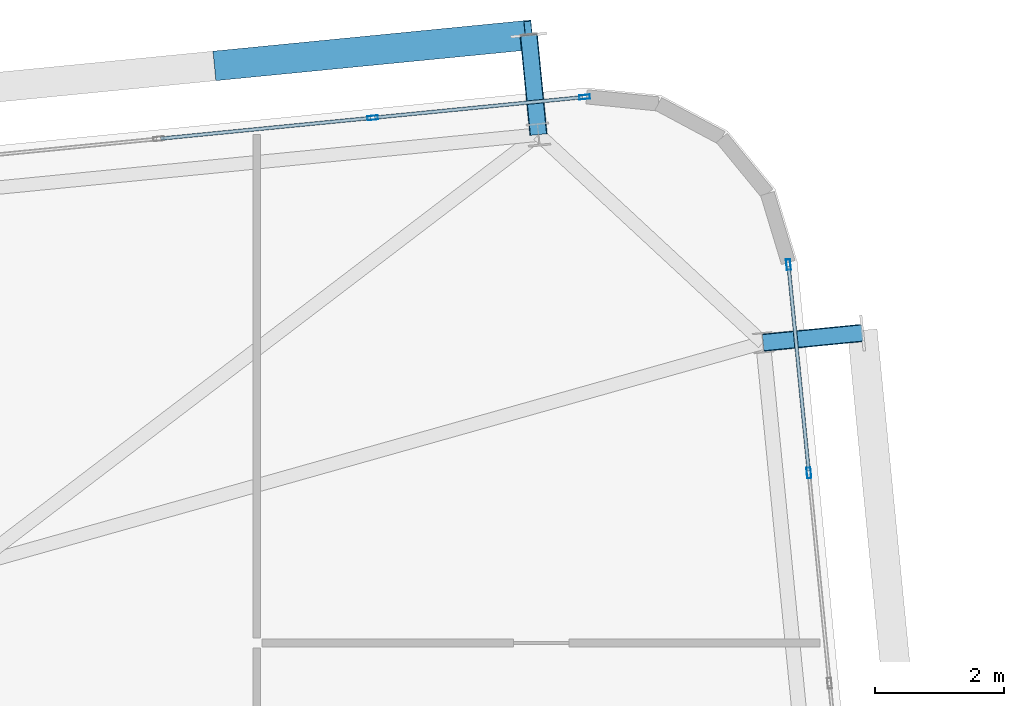
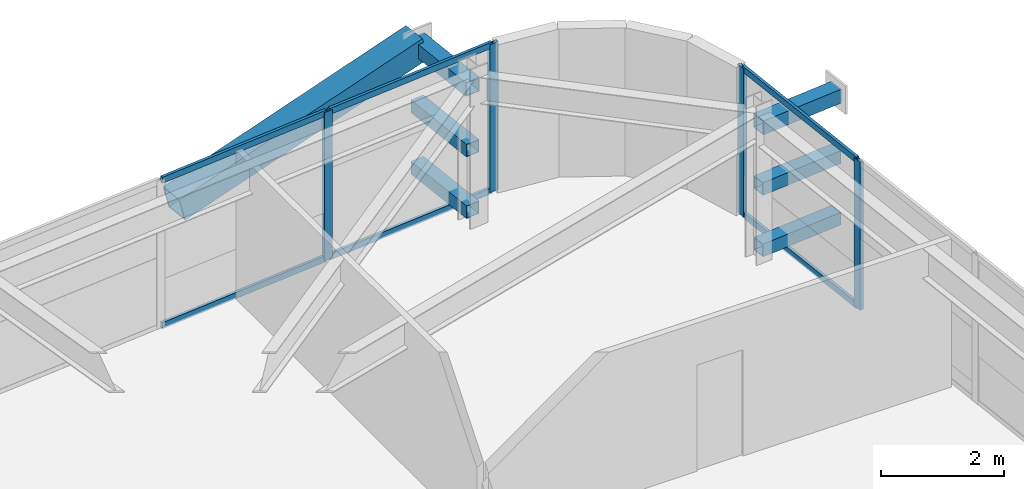
# One storey, part 35 of 52: 17 members, 2 elements without a shape of their own.
"""IFC4 building model written with IfcOpenShell, lengths in metres."""

from ifc_helpers import new_model, si_unit, direction, frame, origin, origin_2d, place, context, subcontext, project, spatial, hollow_rectangle, extrude, source, transform, mapped, material, layer, layer_set, material_profile, profile_set, type_object, element, aggregate, save


model = new_model("IFC4")

# Units and contexts
model_context = context("Model", 3, precision=1e-05, world=origin(), true_north=direction((0.0, 1.0)))
body_context = subcontext(model_context, "Body", "Model", "MODEL_VIEW")
ifc_project = project(units=[si_unit("LENGTHUNIT", "METRE"), si_unit("AREAUNIT", "SQUARE_METRE"), si_unit("VOLUMEUNIT", "CUBIC_METRE"), si_unit("PLANEANGLEUNIT", "RADIAN"), si_unit("MASSUNIT", "GRAM", prefix="KILO")], contexts=[model_context])

# Site, building, storey
site_placement = place(None, origin())
site = spatial("IfcSite", under=ifc_project, at=site_placement, CompositionType="ELEMENT")
building_placement = place(site_placement, origin())
building = spatial("IfcBuilding", under=site, at=building_placement, Name="Taldren Reach Tower", CompositionType="ELEMENT")
storey_placement = place(building_placement, frame((0.0, 0.0, 74.550048828125)))
storey = spatial("IfcBuildingStorey", under=building, at=storey_placement, Name="L22", CompositionType="ELEMENT", Elevation=74.550048828125)

# Members
ifc_material_1 = material(Name="Steel Gr 450 (C450L0)", Category="steel")
ifc_material_profile_1 = material_profile(ifc_material_1, hollow_rectangle(XDim=0.27490234375, YDim=0.27490234375, WallThickness=0.00927734375, at=origin_2d()), Name="275x275x9.3SHS")
ifc_profile_set_1 = profile_set([ifc_material_profile_1], Name="Steel Gr 450 (C450L0)")
member_type_1 = type_object("IfcMemberType", Name="MB-TIE273", PredefinedType="STRUT", material=ifc_profile_set_1)
shared_shape_1 = source(origin(), body_context, "Body", "SweptSolid", [
    extrude(hollow_rectangle(XDim=0.27490234375, YDim=0.27490234375, WallThickness=0.00927734375, at=origin_2d()), origin(), (0.0, 0.0, 1.0), 1.5498046875),
])
for number, where, z_axis, x_axis, name in (
    (1, (59.765869140625, 38.679931640625, 2.64990234375), (-0.097663201064, 0.995219523099, 0.0), (-0.995219523099, -0.097663201064, 0.0), "Exoskeleton diaphragm tie strut B2-N6 L22"),
    (2, (63.247314453125, 35.454345703125, 2.64990234375), (0.995234821595, 0.097507178627, 0.0), (-0.097507178627, 0.995234821595, 0.0), "Exoskeleton diaphragm tie strut B2-E3 L22"),
):
    element("IfcMember", number, at=place(storey_placement, frame(where, z_axis=z_axis, x_axis=x_axis)), inside=storey, type_object=member_type_1, Name=name, PredefinedType="STRUT", context=body_context, shape_type="MappedRepresentation", body=[
        mapped(shared_shape_1, transform((0.0, 0.0, 0.0), scale=1.0)),
    ])
ifc_material_2 = material(Name="Steel Gr 350 (C350L0)", Category="steel")
ifc_material_profile_2 = material_profile(ifc_material_2, hollow_rectangle(XDim=0.25, YDim=0.25, WallThickness=0.010009765625, at=origin_2d()), Name="250x250x10.0SHS")
ifc_profile_set_2 = profile_set([ifc_material_profile_2], Name="Steel Gr 350 (C350L0)")
member_type_2 = type_object("IfcMemberType", Name="MB-POST250", PredefinedType="POST", material=ifc_profile_set_2)
shared_shape_2 = source(origin(), body_context, "Body", "SweptSolid", [
    extrude(hollow_rectangle(XDim=0.25, YDim=0.25, WallThickness=0.010009765625, at=origin_2d()), origin(), (0.0, 0.0, 1.0), 1.5498046875),
])
for number, where, z_axis, x_axis, name in (
    (3, (59.765869140625, 38.679931640625, 0.219970703125), (-0.097663201064, 0.995219523099, 0.0), (-0.995219523099, -0.097663201064, 0.0), "Exoskeleton base diaphragm tie strut B2-N6 L22"),
    (4, (63.247314453125, 35.454345703125, 0.219970703125), (0.995234821595, 0.097507178627, 0.0), (-0.097507178627, 0.995234821595, 0.0), "Exoskeleton base diaphragm tie strut B2-E3 L22"),
    (5, (59.765869140625, 38.679931640625, 1.43505859375), (-0.097663201064, 0.995219523099, 0.0), (-0.995219523099, -0.097663201064, 0.0), "Exoskeleton mid-tier diaphragm tie B2-N6 L22"),
    (6, (63.247314453125, 35.454345703125, 1.43505859375), (0.995234821595, 0.097507178627, 0.0), (-0.097507178627, 0.995234821595, 0.0), "Exoskeleton mid-tier diaphragm tie B2-E3 L22"),
):
    element("IfcMember", number, at=place(storey_placement, frame(where, z_axis=z_axis, x_axis=x_axis)), inside=storey, type_object=member_type_2, Name=name, PredefinedType="POST", context=body_context, shape_type="MappedRepresentation", body=[
        mapped(shared_shape_2, transform((0.0, 0.0, 0.0), scale=1.0)),
    ])
ifc_material_profile_3 = material_profile(ifc_material_1, hollow_rectangle(XDim=0.4599609375, YDim=0.4599609375, WallThickness=0.01611328125, at=origin_2d()), Name="460x460x16.0SHS")
ifc_profile_set_3 = profile_set([ifc_material_profile_3], Name="Steel Gr 450 (C450L0)")
member_type_3 = type_object("IfcMemberType", Name="MB-EXO457", PredefinedType="BRACE", material=ifc_profile_set_3)
shared_shape_3 = source(origin(), body_context, "Body", "SweptSolid", [
    extrude(hollow_rectangle(XDim=0.4599609375, YDim=0.4599609375, WallThickness=0.01611328125, at=origin_2d()), origin(), (0.0, 0.0, 1.0), 4.990234375),
])
member_1_placement = place(storey_placement, frame((54.797607421875, 39.750244140625, 1.43505859375), z_axis=(0.965287024526, 0.094620633828, 0.24344998652), x_axis=(-0.097555749586, 0.995230061706, 0.0)))
element("IfcMember", 7, at=member_1_placement, inside=storey, type_object=member_type_3, Name="Exoskeleton Diagrid Brace B2-N5 L22", PredefinedType="BRACE", context=body_context, shape_type="MappedRepresentation", body=[
    mapped(shared_shape_3, transform((0.0, 0.0, 0.0), scale=1.0)),
])

# Curtain wall, members
ifc_material_3 = material(Name="Aluminium and Low-E Glass Unitised System", Category="aluminium")
ifc_layer = layer(ifc_material_3, 0.159912109375)
ifc_layer_set = layer_set([ifc_layer], Name="Aluminium and Low-E Glass Unitised System")
curtain_wall_type = type_object("IfcCurtainWallType", Name="CW-SYS-3", PredefinedType="NOTDEFINED", material=ifc_layer_set)
curtain_wall_1_placement = place(storey_placement, origin())
curtain_wall_1 = element("IfcCurtainWall", 8, at=curtain_wall_1_placement, inside=storey, type_object=curtain_wall_type, Name="Unitised curtain wall CW-L22-N", PredefinedType="NOTDEFINED")
ifc_material_4 = material(Name="Anodised Aluminium 6063-T6", Category="aluminium")
ifc_material_profile_4 = material_profile(ifc_material_4, hollow_rectangle(XDim=0.06494140625, YDim=0.1650390625, WallThickness=0.00390625, at=origin_2d()), Name="ALU-165x65x4RHS")
ifc_profile_set_4 = profile_set([ifc_material_profile_4], Name="Anodised Aluminium 6063-T6")
member_type_4 = type_object("IfcMemberType", Name="CW-MUL-165", PredefinedType="MULLION", material=ifc_profile_set_4)
shared_shape_4 = source(origin(), body_context, "Body", "SweptSolid", [
    extrude(hollow_rectangle(XDim=0.06494140625, YDim=0.1650390625, WallThickness=0.00390625, at=origin_2d()), origin(), (0.0, 0.0, 1.0), 2.929931640625),
])
member_2_placement = place(storey_placement, frame((60.47998046875, 39.262451171875, 0.0), z_axis=(0.0, 0.0, 1.0), x_axis=(0.097582999046, -0.995227390247, 0.0)))
member_2 = element("IfcMember", 9, at=member_2_placement, type_object=member_type_4, Name="CW-3 mullion 1", PredefinedType="MULLION", context=body_context, shape_type="MappedRepresentation", body=[
    mapped(shared_shape_4, transform((0.0, 0.0, 0.0), scale=1.0)),
])
member_3_placement = place(storey_placement, frame((57.19482421875, 38.940185546875, 0.0), z_axis=(0.0, 0.0, 1.0), x_axis=(0.097582999046, -0.995227390247, 0.0)))
member_3 = element("IfcMember", 10, at=member_3_placement, type_object=member_type_4, Name="CW-3 mullion 2", PredefinedType="MULLION", context=body_context, shape_type="MappedRepresentation", body=[
    mapped(shared_shape_4, transform((0.0, 0.0, 0.0), scale=1.0)),
])

curtain_wall_2_placement = place(storey_placement, origin())
curtain_wall_2 = element("IfcCurtainWall", 11, at=curtain_wall_2_placement, inside=storey, type_object=curtain_wall_type, Name="Unitised curtain wall CW-L22-E", PredefinedType="NOTDEFINED")
member_4_placement = place(storey_placement, frame((63.95751953125, 33.43603515625, 0.0), z_axis=(0.0, 0.0, 1.0), x_axis=(-0.99522741555, -0.09758274098, 0.0)))
member_4 = element("IfcMember", 12, at=member_4_placement, type_object=member_type_4, Name="CW-3 mullion 9", PredefinedType="MULLION", context=body_context, shape_type="MappedRepresentation", body=[
    mapped(shared_shape_4, transform((0.0, 0.0, 0.0), scale=1.0)),
])
member_5_placement = place(storey_placement, frame((63.640869140625, 36.666015625, 0.0), z_axis=(0.0, 0.0, 1.0), x_axis=(-0.99522741555, -0.09758274098, 0.0)))
member_5 = element("IfcMember", 13, at=member_5_placement, type_object=member_type_4, Name="CW-3 mullion 10", PredefinedType="MULLION", context=body_context, shape_type="MappedRepresentation", body=[
    mapped(shared_shape_4, transform((0.0, 0.0, 0.0), scale=1.0)),
])

# Member
ifc_material_profile_5 = material_profile(ifc_material_4, hollow_rectangle(XDim=0.054931640625, YDim=0.1201171875, WallThickness=0.0029296875, at=origin_2d()), Name="ALU-120x55x3RHS")
ifc_profile_set_5 = profile_set([ifc_material_profile_5], Name="Anodised Aluminium 6063-T6")
member_type_5 = type_object("IfcMemberType", Name="CW-TRN-135", PredefinedType="USERDEFINED", material=ifc_profile_set_5)
shared_shape_5 = source(origin(), body_context, "Body", "SweptSolid", [
    extrude(hollow_rectangle(XDim=0.054931640625, YDim=0.1201171875, WallThickness=0.0029296875, at=origin_2d()), origin(), (0.0, 0.0, 1.0), 3.23583984375),
])
member_6_placement = place(storey_placement, frame((60.447509765625, 39.25927734375, 0.02734375), z_axis=(-0.995222920971, -0.097628569459, 0.0), x_axis=(0.097628569459, -0.995222920971, 0.0)))
member_6 = element("IfcMember", 14, at=member_6_placement, type_object=member_type_5, Name="CW-3 transom 1.1", ObjectType="TRANSOM", PredefinedType="USERDEFINED", context=body_context, shape_type="MappedRepresentation", body=[
    mapped(shared_shape_5, transform((0.0, 0.0, 0.0), scale=1.0)),
])

member_7_placement = place(storey_placement, frame((60.447509765625, 39.25927734375, 2.90234375), z_axis=(-0.995222920971, -0.097628569459, 0.0), x_axis=(0.097628569459, -0.995222920971, 0.0)))
member_7 = element("IfcMember", 15, at=member_7_placement, type_object=member_type_5, Name="CW-3 transom 1.2", ObjectType="TRANSOM", PredefinedType="USERDEFINED", context=body_context, shape_type="MappedRepresentation", body=[
    mapped(shared_shape_5, transform((0.0, 0.0, 0.0), scale=1.0)),
])

shared_shape_6 = source(origin(), body_context, "Body", "SweptSolid", [
    extrude(hollow_rectangle(XDim=0.054931640625, YDim=0.1201171875, WallThickness=0.0029296875, at=origin_2d()), origin(), (0.0, 0.0, 1.0), 3.2685546875),
])
member_8_placement = place(storey_placement, frame((57.16259765625, 38.93701171875, 0.02734375), z_axis=(-0.99523051601, -0.097551114824, 0.0), x_axis=(0.097551114824, -0.99523051601, 0.0)))
member_8 = element("IfcMember", 16, at=member_8_placement, type_object=member_type_5, Name="CW-3 transom 2.1", ObjectType="TRANSOM", PredefinedType="USERDEFINED", context=body_context, shape_type="MappedRepresentation", body=[
    mapped(shared_shape_6, transform((0.0, 0.0, 0.0), scale=1.0)),
])

member_9_placement = place(storey_placement, frame((57.16259765625, 38.93701171875, 2.90234375), z_axis=(-0.99523051601, -0.097551114824, 0.0), x_axis=(0.097551114824, -0.99523051601, 0.0)))
member_9 = element("IfcMember", 17, at=member_9_placement, type_object=member_type_5, Name="CW-3 transom 2.2", ObjectType="TRANSOM", PredefinedType="USERDEFINED", context=body_context, shape_type="MappedRepresentation", body=[
    mapped(shared_shape_6, transform((0.0, 0.0, 0.0), scale=1.0)),
])

aggregate(curtain_wall_1, [member_2, member_3, member_6, member_7, member_8, member_9])

shared_shape_7 = source(origin(), body_context, "Body", "SweptSolid", [
    extrude(hollow_rectangle(XDim=0.054931640625, YDim=0.1201171875, WallThickness=0.0029296875, at=origin_2d()), origin(), (0.0, 0.0, 1.0), 3.18017578125),
])
member_10_placement = place(storey_placement, frame((63.954345703125, 33.468505859375, 0.02734375), z_axis=(-0.097572914968, 0.995228378949, 0.0), x_axis=(-0.995228378949, -0.097572914968, 0.0)))
member_10 = element("IfcMember", 18, at=member_10_placement, type_object=member_type_5, Name="CW-3 transom 9.1", ObjectType="TRANSOM", PredefinedType="USERDEFINED", context=body_context, shape_type="MappedRepresentation", body=[
    mapped(shared_shape_7, transform((0.0, 0.0, 0.0), scale=1.0)),
])

member_11_placement = place(storey_placement, frame((63.954345703125, 33.468505859375, 2.90234375), z_axis=(-0.097572914968, 0.995228378949, 0.0), x_axis=(-0.995228378949, -0.097572914968, 0.0)))
member_11 = element("IfcMember", 19, at=member_11_placement, type_object=member_type_5, Name="CW-3 transom 9.2", ObjectType="TRANSOM", PredefinedType="USERDEFINED", context=body_context, shape_type="MappedRepresentation", body=[
    mapped(shared_shape_7, transform((0.0, 0.0, 0.0), scale=1.0)),
])

aggregate(curtain_wall_2, [member_4, member_5, member_10, member_11])

save(model, "model.ifc")
